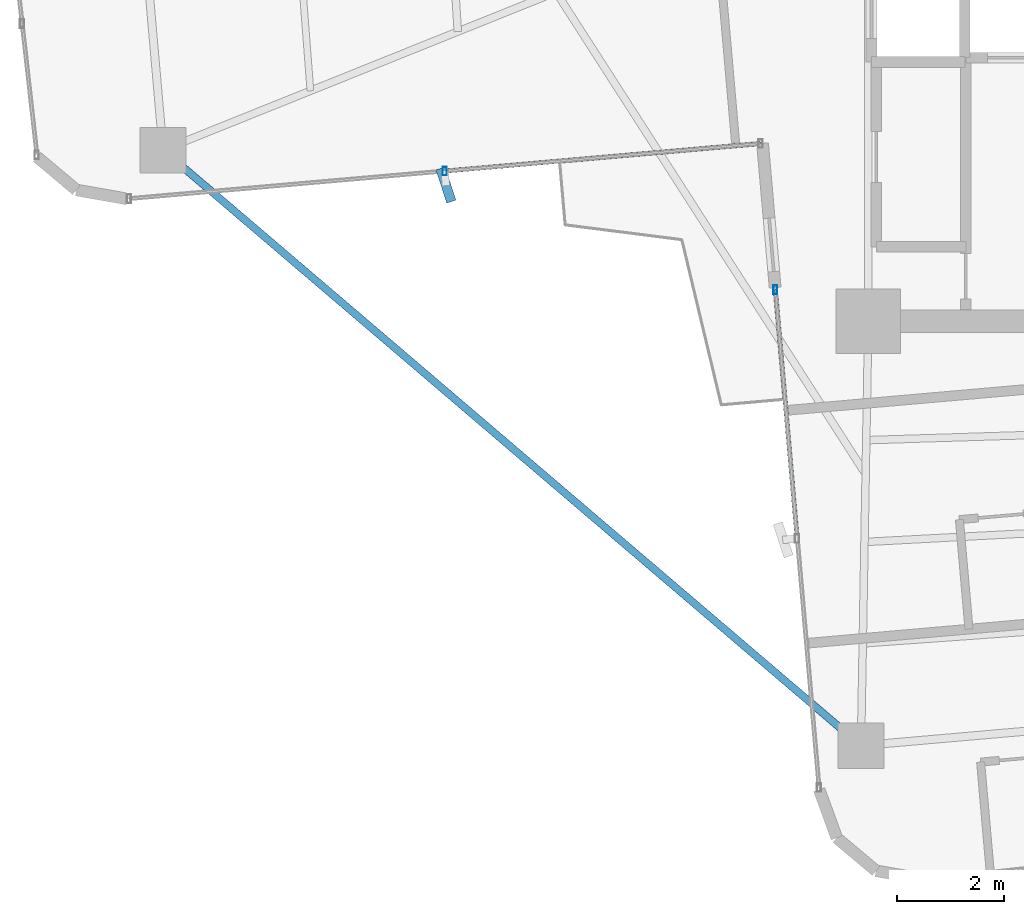
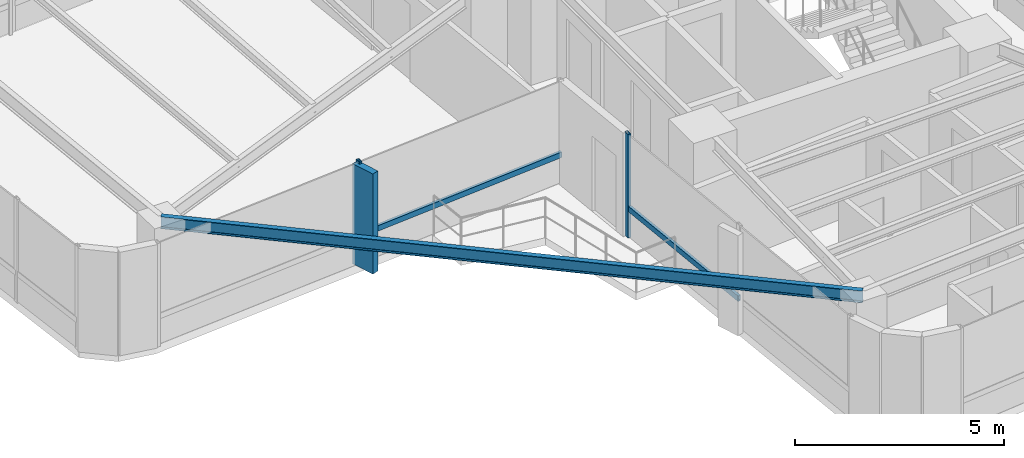
# One storey, part 4 of 24: 5 members, 1 beam, 2 elements without a shape of their own.
"""IFC4 building model written with IfcOpenShell, lengths in metres."""

from ifc_helpers import new_model, si_unit, direction, frame, origin, origin_2d, place, context, subcontext, project, spatial, rectangle, hollow_rectangle, i_section, extrude, source, transform, mapped, material, material_profile, profile_set, type_object, element, aggregate, save


model = new_model("IFC4")

# Units and contexts
model_context = context("Model", 3, precision=1e-05, world=origin(), true_north=direction((0.0, 1.0)))
body_context = subcontext(model_context, "Body", "Model", "MODEL_VIEW")
ifc_project = project(units=[si_unit("LENGTHUNIT", "METRE"), si_unit("AREAUNIT", "SQUARE_METRE"), si_unit("VOLUMEUNIT", "CUBIC_METRE"), si_unit("PLANEANGLEUNIT", "RADIAN"), si_unit("MASSUNIT", "GRAM", prefix="KILO")], contexts=[model_context])

# Site, building, storey
site_placement = place(None, origin())
site = spatial("IfcSite", under=ifc_project, at=site_placement, CompositionType="ELEMENT")
building_placement = place(site_placement, origin())
building = spatial("IfcBuilding", under=site, at=building_placement, Name="Sahyath Konkavel Grand Hotel", CompositionType="ELEMENT")
storey_placement = place(building_placement, frame((0.0, 0.0, 198.64990234375)))
storey = spatial("IfcBuildingStorey", under=building, at=storey_placement, Name="L55", CompositionType="ELEMENT", Elevation=198.64990234375)

# Beam
ifc_material_1 = material(Name="Steel E350", Category="steel")
ifc_material_profile_1 = material_profile(ifc_material_1, i_section(OverallWidth=0.139892578125, OverallDepth=0.35009765625, WebThickness=0.008056640625, FlangeThickness=0.01416015625, FilletRadius=0.013916015625, at=origin_2d()), Name="ISMB 350")
ifc_profile_set_1 = profile_set([ifc_material_profile_1], Name="Steel E350")
beam_type = type_object("IfcBeamType", Name="BM-ISMB350", PredefinedType="BEAM", material=ifc_profile_set_1)
shared_shape_1 = source(origin(), body_context, "Body", "SweptSolid", [
    extrude(i_section(OverallWidth=0.139892578125, OverallDepth=0.35009765625, WebThickness=0.008056640625, FlangeThickness=0.01416015625, FilletRadius=0.013916015625, at=origin_2d()), origin(), (0.0, 0.0, 1.0), 17.11279296875),
])
beam_placement = place(storey_placement, frame((-16.9541015625, -7.00439453125, 2.85498046875), z_axis=(0.760711911164, -0.649089661151, 0.0), x_axis=(0.649089661151, 0.760711911164, 0.0)))
element("IfcBeam", 1, at=beam_placement, inside=storey, type_object=beam_type, Name="L55 Re-Entrant Tie Beam SW", PredefinedType="BEAM", context=body_context, shape_type="MappedRepresentation", body=[
    mapped(shared_shape_1, transform((0.0, 0.0, 0.0), scale=1.0)),
])

# Curtain wall, member
ifc_material_2 = material(Name="Anodised Bronze Aluminium & Low-E Glazing", Category="aluminium")
curtain_wall_type = type_object("IfcCurtainWallType", Name="CW-ZONE3", PredefinedType="NOTDEFINED", material=ifc_material_2)
curtain_wall_1_placement = place(storey_placement, origin())
curtain_wall_1 = element("IfcCurtainWall", 2, at=curtain_wall_1_placement, inside=storey, type_object=curtain_wall_type, Name="L55 Unitised Curtain Wall F23", PredefinedType="NOTDEFINED")
ifc_material_3 = material(Name="Anodised Bronze Aluminium", Category="aluminium")
ifc_material_profile_2 = material_profile(ifc_material_3, hollow_rectangle(XDim=0.080078125, YDim=0.159912109375, WallThickness=0.006103515625, at=origin_2d()), Name="RHS 160x80x6")
ifc_profile_set_2 = profile_set([ifc_material_profile_2], Name="Anodised Bronze Aluminium")
member_type_1 = type_object("IfcMemberType", Name="CW-MUL-160", PredefinedType="MULLION", material=ifc_profile_set_2)
shared_shape_2 = source(origin(), body_context, "Body", "SweptSolid", [
    extrude(hollow_rectangle(XDim=0.080078125, YDim=0.159912109375, WallThickness=0.006103515625, at=origin_2d()), origin(), (0.0, 0.0, 1.0), 3.030029296875),
])
member_1_placement = place(storey_placement, frame((-11.69970703125, -7.39794921875, 0.0), z_axis=(0.0, 0.0, 1.0), x_axis=(1.0, 0.0, 0.0)))
member_1 = element("IfcMember", 3, at=member_1_placement, type_object=member_type_1, Name="L55 Curtain Wall Mullion F23-1", PredefinedType="MULLION", context=body_context, shape_type="MappedRepresentation", body=[
    mapped(shared_shape_2, transform((0.0, 0.0, 0.0), scale=1.0)),
])

curtain_wall_2_placement = place(storey_placement, origin())
curtain_wall_2 = element("IfcCurtainWall", 4, at=curtain_wall_2_placement, inside=storey, type_object=curtain_wall_type, Name="L55 Unitised Curtain Wall F24", PredefinedType="NOTDEFINED")
member_2_placement = place(storey_placement, frame((-5.53369140625, -9.60888671875, 0.0), z_axis=(0.0, 0.0, 1.0), x_axis=(1.0, 0.0, 0.0)))
member_2 = element("IfcMember", 5, at=member_2_placement, type_object=member_type_1, Name="L55 Curtain Wall Mullion F24-0", PredefinedType="MULLION", context=body_context, shape_type="MappedRepresentation", body=[
    mapped(shared_shape_2, transform((0.0, 0.0, 0.0), scale=1.0)),
])

# Member
ifc_material_4 = material(Name="Warm Buff Sandstone Cladding on Concrete C50/60", Category="masonry")
ifc_material_profile_3 = material_profile(ifc_material_4, rectangle(XDim=0.179931640625, YDim=0.64990234375, at=origin_2d()), Name="FIN 180x650")
ifc_profile_set_3 = profile_set([ifc_material_profile_3], Name="Warm Buff Sandstone Cladding on Concrete C50/60")
member_type_2 = type_object("IfcMemberType", Name="FIN-SANDSTONE-650", PredefinedType="MULLION", material=ifc_profile_set_3)
shared_shape_3 = source(origin(), body_context, "Body", "SweptSolid", [
    extrude(rectangle(XDim=0.179931640625, YDim=0.64990234375, at=origin_2d()), origin(), (0.0, 0.0, 1.0), 2.929931640625),
])
member_3_placement = place(storey_placement, frame((-11.677001953125, -7.656982421875, 0.050048828125), z_axis=(0.0, 0.0, 1.0), x_axis=(0.951056516295, 0.309016994375, 0.0)))
member_3 = element("IfcMember", 6, at=member_3_placement, type_object=member_type_2, Name="L55 Sandstone Vertical Solar Fin FIN F23-1", PredefinedType="MULLION", context=body_context, shape_type="MappedRepresentation", body=[
    mapped(shared_shape_3, transform((0.0, 0.0, 0.0), scale=1.0)),
])

ifc_material_profile_4 = material_profile(ifc_material_3, hollow_rectangle(XDim=0.080078125, YDim=0.159912109375, WallThickness=0.006103515625, at=origin_2d()), Name="RHS 160x80x6")
ifc_profile_set_4 = profile_set([ifc_material_profile_4], Name="Anodised Bronze Aluminium")
member_type_3 = type_object("IfcMemberType", Name="CW-TRN-160", PredefinedType="USERDEFINED", material=ifc_profile_set_4)
shared_shape_4 = source(origin(), body_context, "Body", "SweptSolid", [
    extrude(hollow_rectangle(XDim=0.080078125, YDim=0.159912109375, WallThickness=0.006103515625, at=origin_2d()), origin(), (0.0, 0.0, 1.0), 5.909912109375),
])
member_4_placement = place(storey_placement, frame((-11.69970703125, -7.39794921875, 0.85009765625), z_axis=(0.996193941691, 0.087164388014, 0.0), x_axis=(-0.087164388014, 0.996193941691, 0.0)))
member_4 = element("IfcMember", 7, at=member_4_placement, type_object=member_type_3, Name="L55 Curtain Wall Transom F23-1-spandrel", ObjectType="TRANSOM", PredefinedType="USERDEFINED", context=body_context, shape_type="MappedRepresentation", body=[
    mapped(shared_shape_4, transform((0.0, 0.0, 0.0), scale=1.0)),
])

aggregate(curtain_wall_1, [member_1, member_3, member_4])

shared_shape_5 = source(origin(), body_context, "Body", "SweptSolid", [
    extrude(hollow_rectangle(XDim=0.080078125, YDim=0.159912109375, WallThickness=0.006103515625, at=origin_2d()), origin(), (0.0, 0.0, 1.0), 4.66015625),
])
member_5_placement = place(storey_placement, frame((-5.53369140625, -9.60888671875, 0.85009765625), z_axis=(0.087176698736, -0.996192864458, 0.0), x_axis=(0.996192864458, 0.087176698736, 0.0)))
member_5 = element("IfcMember", 8, at=member_5_placement, type_object=member_type_3, Name="L55 Curtain Wall Transom F24-0-spandrel", ObjectType="TRANSOM", PredefinedType="USERDEFINED", context=body_context, shape_type="MappedRepresentation", body=[
    mapped(shared_shape_5, transform((0.0, 0.0, 0.0), scale=1.0)),
])

aggregate(curtain_wall_2, [member_2, member_5])

save(model, "model.ifc")
